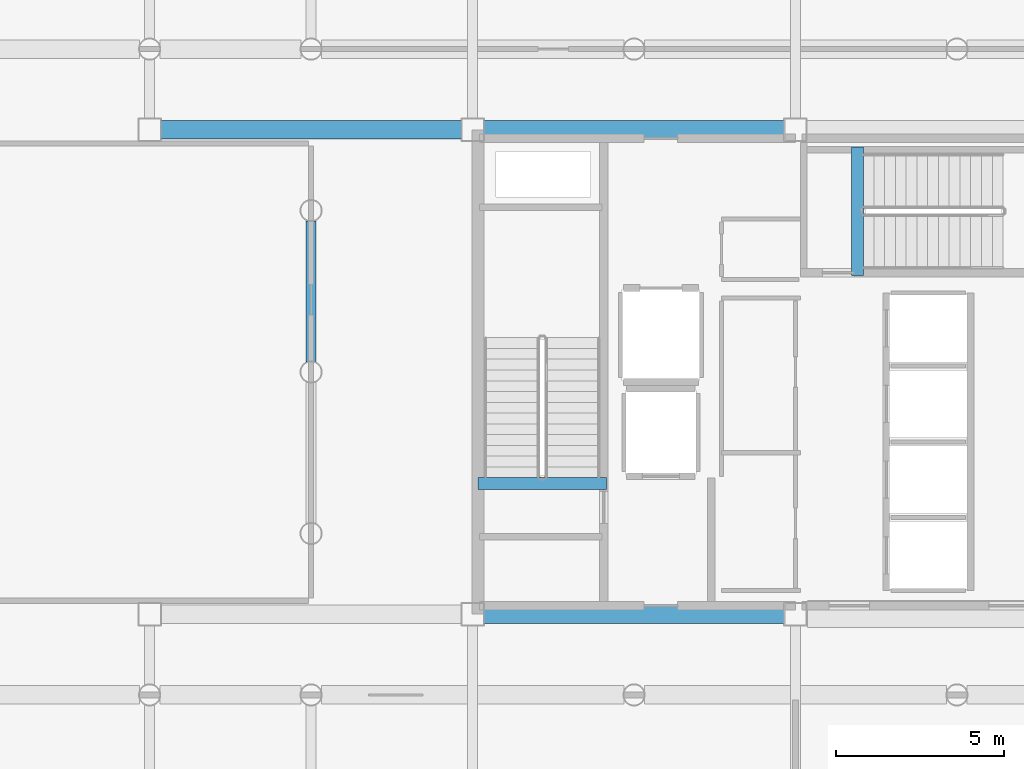
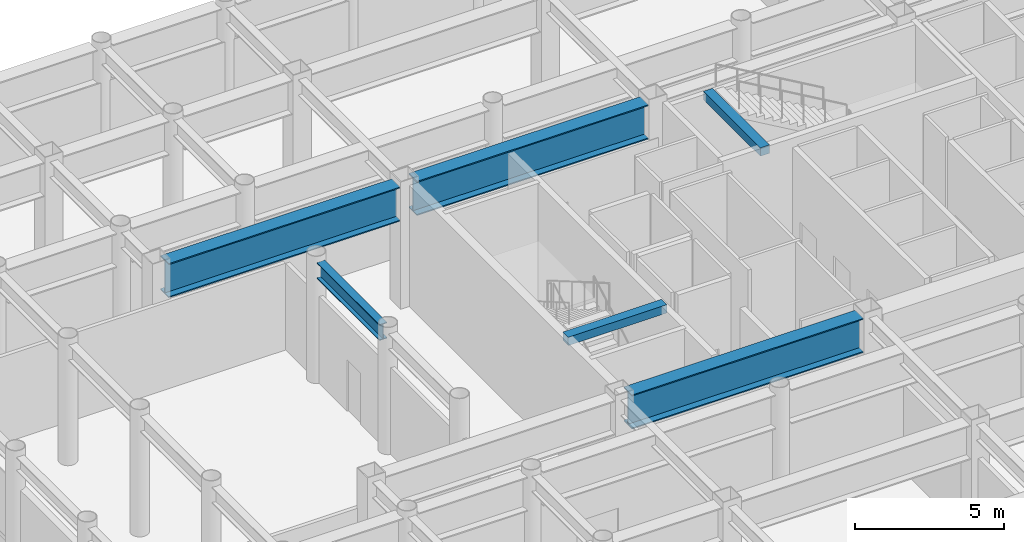
# One storey, part 5 of 20: 6 beams.
"""IFC4 building model written with IfcOpenShell, lengths in metres."""

import ifcopenshell
import ifcopenshell.guid

model = None  # the IFC model being written
_history = None  # IfcOwnerHistory: only IFC2X3 demands one
_inside = {}  # id of a spatial element -> (the spatial element, [elements in it])
_under = {}  # id of a project, library or spatial element -> (it, [spatial elements below it])
_declared = {}  # id of a project -> (the project, [libraries it declares])
_typed = {}  # id of a type object -> (the type object, [elements of that type])
_made_of = {}  # id of a material, layer set ... -> (it, [elements and type objects made of it])


def new_model(schema):
    """Start an empty IFC model of exactly this schema.

    Asked for "IFC4X3", IfcOpenShell would pick the latest addendum, in which some entities
    have other attributes; the version numbers below select the first issue.
    IFC2X3 requires an IfcOwnerHistory on every rooted entity: one is made here for all.
    """
    global model, _history
    if schema == "IFC4X3":
        model = ifcopenshell.file(schema_version=(4, 3, 0, 0))
    else:
        model = ifcopenshell.file(schema=schema)
    _inside.clear()
    _under.clear()
    _declared.clear()
    _typed.clear()
    _made_of.clear()
    _history = None
    if model.schema == "IFC2X3":
        org = make("IfcOrganization", Name="unknown")
        user = make(
            "IfcPersonAndOrganization",
            ThePerson=make("IfcPerson", FamilyName="unknown"),
            TheOrganization=org,
        )
        app = make(
            "IfcApplication",
            ApplicationDeveloper=org,
            Version="unknown",
            ApplicationFullName="unknown",
            ApplicationIdentifier="unknown",
        )
        _history = make(
            "IfcOwnerHistory",
            OwningUser=user,
            OwningApplication=app,
            ChangeAction="ADDED",
            CreationDate=0,
        )
    return model


def make(cls, **values):
    """One entity of the class cls with the attributes given. An attribute that is None is left unset."""
    return model.create_entity(
        cls, **{name: value for name, value in values.items() if value is not None}
    )


def rooted(cls, **values):
    """An entity with a GlobalId (a new one), such as an element, a storey or a relation."""
    return make(cls, GlobalId=ifcopenshell.guid.new(), OwnerHistory=_history, **values)


def si_unit(unit_type, name, prefix=None):
    """IfcSIUnit, for example si_unit("LENGTHUNIT", "METRE", prefix="MILLI")."""
    return make("IfcSIUnit", UnitType=unit_type, Prefix=prefix, Name=name)


def assignment(units):
    """IfcUnitAssignment: the units of a project."""
    return None if units is None else make("IfcUnitAssignment", Units=units)


def point(xyz):
    """IfcCartesianPoint."""
    return None if xyz is None else make("IfcCartesianPoint", Coordinates=xyz)


def direction(xyz):
    """IfcDirection."""
    return None if xyz is None else make("IfcDirection", DirectionRatios=xyz)


def frame(location, z_axis=None, x_axis=None):
    """IfcAxis2Placement3D, a coordinate frame: its origin and axes. An axis left out is left unset."""
    return make(
        "IfcAxis2Placement3D",
        Location=point(location),
        Axis=direction(z_axis),
        RefDirection=direction(x_axis),
    )


def frame_2d(location, x_axis=None):
    """IfcAxis2Placement2D, a coordinate frame in the plane: its origin and x axis."""
    return make(
        "IfcAxis2Placement2D", Location=point(location), RefDirection=direction(x_axis)
    )


def origin():
    """The frame at (0, 0, 0) with its axes left unset."""
    return frame((0.0, 0.0, 0.0))


def origin_2d():
    """The frame at (0, 0) in the plane with its x axis left unset."""
    return frame_2d((0.0, 0.0))


def place(relative_to, where):
    """IfcLocalPlacement: puts the frame where relative to a parent placement (None: the world)."""
    return make(
        "IfcLocalPlacement", PlacementRelTo=relative_to, RelativePlacement=where
    )


def context(
    kind, dimensions, precision=None, world=None, true_north=None, identifier=None
):
    """IfcGeometricRepresentationContext, for example the 3D "Model" context."""
    return make(
        "IfcGeometricRepresentationContext",
        ContextIdentifier=identifier,
        ContextType=kind,
        CoordinateSpaceDimension=dimensions,
        Precision=precision,
        WorldCoordinateSystem=world,
        TrueNorth=true_north,
    )


def subcontext(parent, identifier, kind, view, scale=None):
    """IfcGeometricRepresentationSubContext, for example "Body" below "Model"."""
    return make(
        "IfcGeometricRepresentationSubContext",
        ContextIdentifier=identifier,
        ContextType=kind,
        ParentContext=parent,
        TargetScale=scale,
        TargetView=view,
    )


def project(units=None, contexts=None):
    """IfcProject with its units and contexts."""
    return rooted(
        "IfcProject",
        Name="project",
        RepresentationContexts=contexts,
        UnitsInContext=assignment(units),
    )


def spatial(cls, under=None, at=None, **own):
    """A site, building, storey or space (cls), placed at a placement, below another one or the project."""
    s = rooted(cls, ObjectPlacement=at, **own)
    if under is not None:
        _under.setdefault(under.id(), (under, []))[1].append(s)
    return s


def profile(cls, at=None, kind="AREA", **sizes):
    """A parametric profile (cls). Its sizes go by their IFC names, for example OverallWidth=200.0."""
    return make(cls, ProfileType=kind, Position=at, **sizes)


def rectangle(**sizes):
    """IfcRectangleProfileDef."""
    return profile("IfcRectangleProfileDef", **sizes)


def i_section(**sizes):
    """IfcIShapeProfileDef."""
    return profile("IfcIShapeProfileDef", **sizes)


def extrude(swept, where, along, depth):
    """IfcExtrudedAreaSolid: the profile swept, set in the frame where, extruded along a direction by depth."""
    return make(
        "IfcExtrudedAreaSolid",
        SweptArea=swept,
        Position=where,
        ExtrudedDirection=direction(along),
        Depth=depth,
    )


def shape(context_of_items, identifier, shape_type, items):
    """IfcShapeRepresentation: the items that make up one representation, for example the "Body"."""
    return make(
        "IfcShapeRepresentation",
        ContextOfItems=context_of_items,
        RepresentationIdentifier=identifier,
        RepresentationType=shape_type,
        Items=items,
    )


def material(Name=None, Category=None):
    """IfcMaterial."""
    return make("IfcMaterial", Name=Name, Category=Category)


def material_profile(
    of_material, cross_section, Name=None, Category=None, Priority=None
):
    """IfcMaterialProfile: a cross section and its material."""
    return make(
        "IfcMaterialProfile",
        Name=Name,
        Material=of_material,
        Profile=cross_section,
        Priority=Priority,
        Category=Category,
    )


def profile_set(profiles, Name=None, composite=None):
    """IfcMaterialProfileSet."""
    return make(
        "IfcMaterialProfileSet",
        Name=Name,
        MaterialProfiles=profiles,
        CompositeProfile=composite,
    )


def made_of(thing, what):
    """Note that an element or type object is made of a material, layer set ...; save() writes the relation."""
    if what is not None:
        _made_of.setdefault(what.id(), (what, []))[1].append(thing)
    return thing


def type_object(cls, material=None, **own):
    """A type object (cls), such as IfcWallType, which elements share."""
    return made_of(rooted(cls, **own), material)


def element(
    cls,
    number,
    at=None,
    inside=None,
    cuts=None,
    type_object=None,
    material=None,
    context=None,
    identifier="Body",
    shape_type=None,
    held_by="IfcProductDefinitionShape",
    body=None,
    shapes=None,
    **own,
):
    """One element of the class cls, such as IfcWall. Its Tag is "e" and its number.

    at: its placement. inside: the storey or other place that contains it. cuts: it is an
    opening in that element (IfcRelVoidsElement). A single representation is given by context,
    identifier, shape_type and body (its items); several are given by shapes. held_by: the class
    of the entity that holds the representations. save() writes the other relations.
    """
    e = rooted(cls, Tag="e%d" % number, ObjectPlacement=at, **own)
    if body is not None:
        shapes = [shape(context, identifier, shape_type, body)]
    if shapes is not None:
        e.Representation = make(held_by, Representations=shapes)
    if inside is not None:
        _inside.setdefault(inside.id(), (inside, []))[1].append(e)
    if cuts is not None:
        rooted(
            "IfcRelVoidsElement", RelatingBuildingElement=cuts, RelatedOpeningElement=e
        )
    if type_object is not None:
        _typed.setdefault(type_object.id(), (type_object, []))[1].append(e)
    return made_of(e, material)


def aggregate(whole, parts):
    """IfcRelAggregates: a whole, such as a stair, and the parts it consists of."""
    return rooted("IfcRelAggregates", RelatingObject=whole, RelatedObjects=parts)


def save(model, path):
    """Write the relations noted so far, then the file.

    IfcRelAggregates (storeys below a building ...), IfcRelContainedInSpatialStructure (elements
    in a storey), IfcRelDefinesByType, IfcRelAssociatesMaterial and IfcRelDeclares: one each for
    every whole, place, type object, material and project.
    """
    for whole, parts in _under.values():
        aggregate(whole, parts)
    for where, things in _inside.values():
        rooted(
            "IfcRelContainedInSpatialStructure",
            RelatedElements=things,
            RelatingStructure=where,
        )
    for kind, things in _typed.values():
        rooted("IfcRelDefinesByType", RelatedObjects=things, RelatingType=kind)
    for what, things in _made_of.values():
        rooted("IfcRelAssociatesMaterial", RelatedObjects=things, RelatingMaterial=what)
    for by, libraries in _declared.values():
        rooted("IfcRelDeclares", RelatingContext=by, RelatedDefinitions=libraries)
    model.write(path)


model = new_model("IFC4")

# Units and contexts
model_context = context("Model", 3, precision=1e-05, world=origin(), true_north=direction((0.0, 1.0)))
body_context = subcontext(model_context, "Body", "Model", "MODEL_VIEW")
ifc_project = project(units=[si_unit("LENGTHUNIT", "METRE"), si_unit("AREAUNIT", "SQUARE_METRE"), si_unit("VOLUMEUNIT", "CUBIC_METRE"), si_unit("PLANEANGLEUNIT", "RADIAN"), si_unit("MASSUNIT", "GRAM", prefix="KILO")], contexts=[model_context])

# Site, building, storey
site_placement = place(None, origin())
site = spatial("IfcSite", under=ifc_project, at=site_placement, CompositionType="ELEMENT")
building_placement = place(site_placement, origin())
building = spatial("IfcBuilding", under=site, at=building_placement, Name="Kallvorn Hotel Tower", CompositionType="ELEMENT")
storey_placement = place(building_placement, frame((0.0, 0.0, 180.300048828125)))
storey = spatial("IfcBuildingStorey", under=building, at=storey_placement, Name="L45", CompositionType="ELEMENT", Elevation=180.300048828125)

# Beams
ifc_material_1 = material(Name="Structural steel S355JR", Category="steel")
ifc_material_profile_1 = material_profile(ifc_material_1, i_section(OverallWidth=0.300048828125, OverallDepth=0.64990234375, WebThickness=0.01611328125, FlangeThickness=0.031005859375, at=origin_2d()), Name="HE 650 B")
ifc_profile_set_1 = profile_set([ifc_material_profile_1], Name="Structural steel S355JR")
beam_type_1 = type_object("IfcBeamType", Name="BM_HE650B", PredefinedType="BEAM", material=ifc_profile_set_1)
beam_1_placement = place(storey_placement, frame((-19.199951171875, 0.304931640625, 4.625), z_axis=(0.0, 1.0, 0.0), x_axis=(-1.0, 0.0, 0.0)))
element("IfcBeam", 1, at=beam_1_placement, inside=storey, type_object=beam_type_1, Name="L46 Primary Y-Girder 94", PredefinedType="BEAM", context=body_context, shape_type="SweptSolid", body=[
    extrude(i_section(OverallWidth=0.300048828125, OverallDepth=0.64990234375, WebThickness=0.01611328125, FlangeThickness=0.031005859375, at=origin_2d()), origin(), (0.0, 0.0, 1.0), 4.190185546875),
])
ifc_material_2 = material(Name="Structural steel S355JR", Category="steel")
ifc_material_profile_2 = material_profile(ifc_material_2, i_section(OverallWidth=0.550048828125, OverallDepth=1.39990234375, WebThickness=0.02490234375, FlangeThickness=0.044921875, at=origin_2d()), Name="PG 1400x550x25x45")
ifc_profile_set_2 = profile_set([ifc_material_profile_2], Name="Structural steel S355JR")
beam_type_2 = type_object("IfcBeamType", Name="BM_PG_1400", PredefinedType="BEAM", material=ifc_profile_set_2)
for number, where, z_axis, x_axis, name in (
    (2, (-14.074951171875, -7.199951171875, 4.25), (1.0, 0.0, 0.0), (0.0, 1.0, 0.0), "L46 Primary X-Girder 34"),
    (3, (-23.675048828125, 7.199951171875, 4.25), (1.0, 0.0, 0.0), (0.0, 1.0, 0.0), "L46 Primary X-Girder 37"),
    (4, (-14.074951171875, 7.199951171875, 4.25), (1.0, 0.0, 0.0), (0.0, 1.0, 0.0), "L46 Primary X-Girder 38"),
):
    element("IfcBeam", number, at=place(storey_placement, frame(where, z_axis=z_axis, x_axis=x_axis)), inside=storey, type_object=beam_type_2, Name=name, PredefinedType="BEAM", context=body_context, shape_type="SweptSolid", body=[
        extrude(i_section(OverallWidth=0.550048828125, OverallDepth=1.39990234375, WebThickness=0.02490234375, FlangeThickness=0.044921875, at=origin_2d()), origin(), (0.0, 0.0, 1.0), 8.949951171875),
    ])
ifc_material_3 = material(Name="Concrete C50/60", Category="concrete")
ifc_material_profile_3 = material_profile(ifc_material_3, rectangle(XDim=0.360107421875, YDim=0.340087890625, at=origin_2d()), Name="RC 360x340")
ifc_profile_set_3 = profile_set([ifc_material_profile_3], Name="Concrete C50/60")
beam_type_3 = type_object("IfcBeamType", Name="BM_RC_400x360", PredefinedType="BEAM", material=ifc_profile_set_3)
beam_2_placement = place(storey_placement, frame((-10.419921875, -3.31005859375, 4.780029296875), z_axis=(-1.0, 0.0, 0.0), x_axis=(0.0, -1.0, 0.0)))
element("IfcBeam", 5, at=beam_2_placement, inside=storey, type_object=beam_type_3, Name="L46 Stair ST1 Arrival Trimmer Beam", PredefinedType="BEAM", context=body_context, shape_type="SweptSolid", body=[
    extrude(rectangle(XDim=0.360107421875, YDim=0.340087890625, at=origin_2d()), origin(), (0.0, 0.0, 1.0), 3.820068359375),
])
beam_3_placement = place(storey_placement, frame((-2.9599609375, 2.8701171875, 4.780029296875), z_axis=(0.0, 1.0, 0.0), x_axis=(-1.0, 0.0, 0.0)))
element("IfcBeam", 6, at=beam_3_placement, inside=storey, type_object=beam_type_3, Name="L46 Stair ST3 Arrival Trimmer Beam", PredefinedType="BEAM", context=body_context, shape_type="SweptSolid", body=[
    extrude(rectangle(XDim=0.360107421875, YDim=0.340087890625, at=origin_2d()), origin(), (0.0, 0.0, 1.0), 3.81982421875),
])

save(model, "model.ifc")
